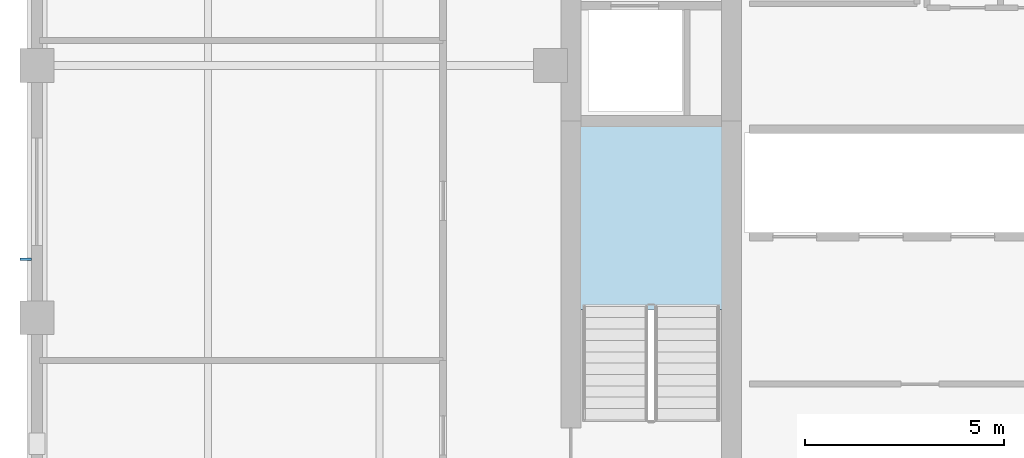
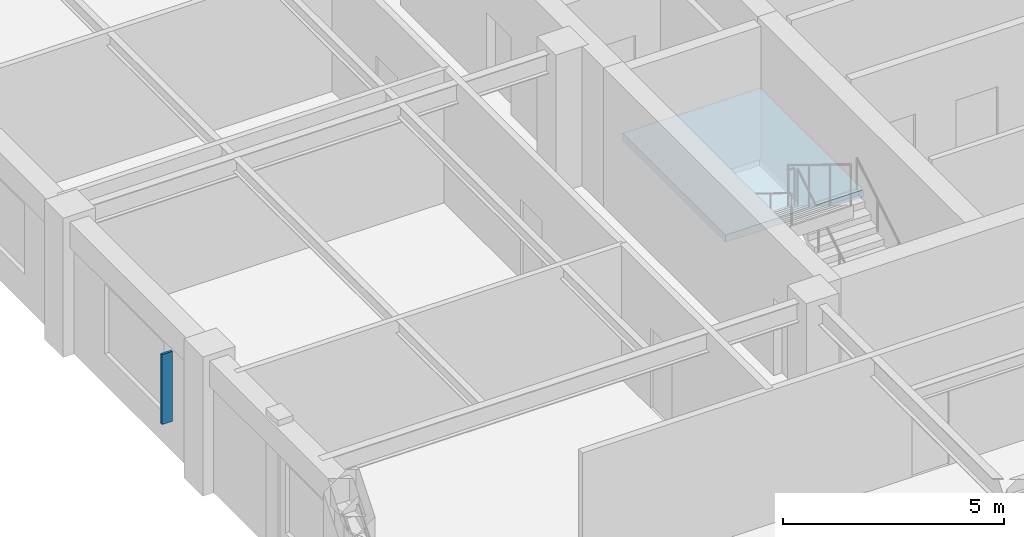
# One storey, part 2 of 9: 1 plate, 1 slab, 1 element without a shape of its own.
"""IFC4 building model written with IfcOpenShell, lengths in metres."""

from ifc_helpers import new_model, si_unit, direction, frame, origin, origin_2d, place, context, subcontext, project, spatial, polyline, rectangle, outline, extrude, material, layer, layer_set, type_object, element, aggregate, save


model = new_model("IFC4")

# Units and contexts
model_context = context("Model", 3, precision=1e-05, world=origin(), true_north=direction((0.0, 1.0)))
body_context = subcontext(model_context, "Body", "Model", "MODEL_VIEW")
ifc_project = project(units=[si_unit("LENGTHUNIT", "METRE"), si_unit("AREAUNIT", "SQUARE_METRE"), si_unit("VOLUMEUNIT", "CUBIC_METRE"), si_unit("PLANEANGLEUNIT", "RADIAN"), si_unit("MASSUNIT", "GRAM", prefix="KILO")], contexts=[model_context])

# Site, building, storey
site_placement = place(None, origin())
site = spatial("IfcSite", under=ifc_project, at=site_placement, CompositionType="ELEMENT")
building_placement = place(site_placement, origin())
building = spatial("IfcBuilding", under=site, at=building_placement, Name="Nhamokura Convention Tower", CompositionType="ELEMENT")
storey_placement = place(building_placement, frame((0.0, 0.0, 229.25)))
storey = spatial("IfcBuildingStorey", under=building, at=storey_placement, Name="L56", CompositionType="ELEMENT", Elevation=229.25)

# Plate
ifc_material_1 = material(Name="Anodised bronze aluminium AA6063-T6", Category="aluminium")
plate_type = type_object("IfcPlateType", Name="BronzeSolarFin_2", PredefinedType="USERDEFINED", material=ifc_material_1)
plate_placement = place(storey_placement, frame((7.469970703125, 27.13330078125, 0.849853515625), z_axis=(0.0, 0.0, 1.0), x_axis=(1.0, 0.0, 0.0)))
element("IfcPlate", 1, at=plate_placement, inside=storey, type_object=plate_type, Name="L56 Bronze Solar Shading Fin WEST 2", ObjectType="SOLAR_FIN", PredefinedType="USERDEFINED", context=body_context, shape_type="SweptSolid", body=[
    extrude(rectangle(XDim=0.280029296875, YDim=0.06005859375, at=origin_2d()), origin(), (0.0, 0.0, 1.0), 1.93505859375),
])

# Stair, slab
ifc_material_2 = material(Name="Concrete C40/50", Category="concrete")
stair_type = type_object("IfcStairType", Name="TowerCoreStair_1650", PredefinedType="HALF_TURN_STAIR", material=ifc_material_2)
stair_placement = place(storey_placement, origin())
stair = element("IfcStair", 2, at=stair_placement, inside=storey, type_object=stair_type, Name="L56 West Core Smokeproof Stair ST-01", PredefinedType="HALF_TURN_STAIR")
ifc_material_3 = material(Name="Concrete C40/50", Category="concrete")
ifc_layer = layer(ifc_material_3, 0.199951171875)
ifc_layer_set = layer_set([ifc_layer], Name="StairLandingSlab_200")
slab_type = type_object("IfcSlabType", Name="StairLandingSlab_200", PredefinedType="LANDING", material=ifc_layer_set)
slab_placement = place(storey_placement, frame((0.0, 0.0, 1.72509765625)))
slab = element("IfcSlab", 3, at=slab_placement, type_object=slab_type, Name="ST-01 landing 1", PredefinedType="LANDING", context=body_context, shape_type="SweptSolid", body=[
    extrude(outline(polyline([(24.97998046875, 25.8701171875), (24.97998046875, 30.530029296875), (21.3701171875, 30.530029296875), (21.3701171875, 25.8701171875), (24.97998046875, 25.8701171875)])), origin(), (0.0, 0.0, 1.0), 0.199951171875),
])
aggregate(stair, [slab])

save(model, "model.ifc")
